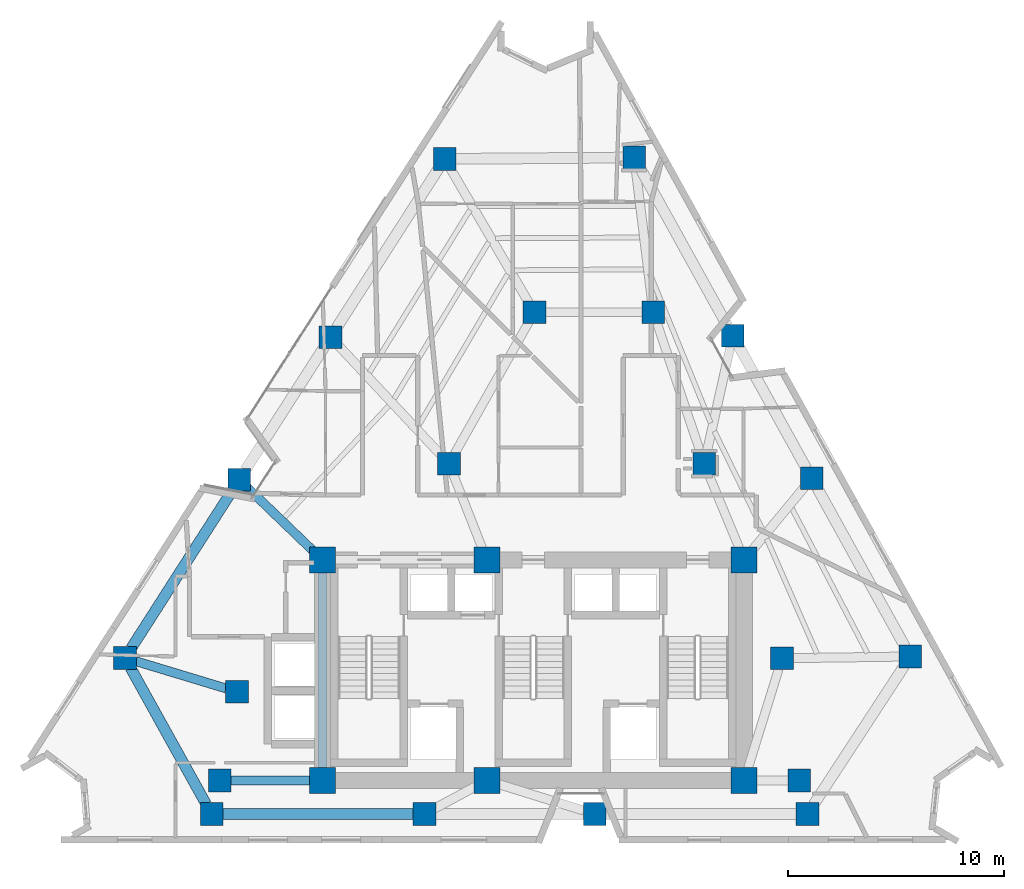
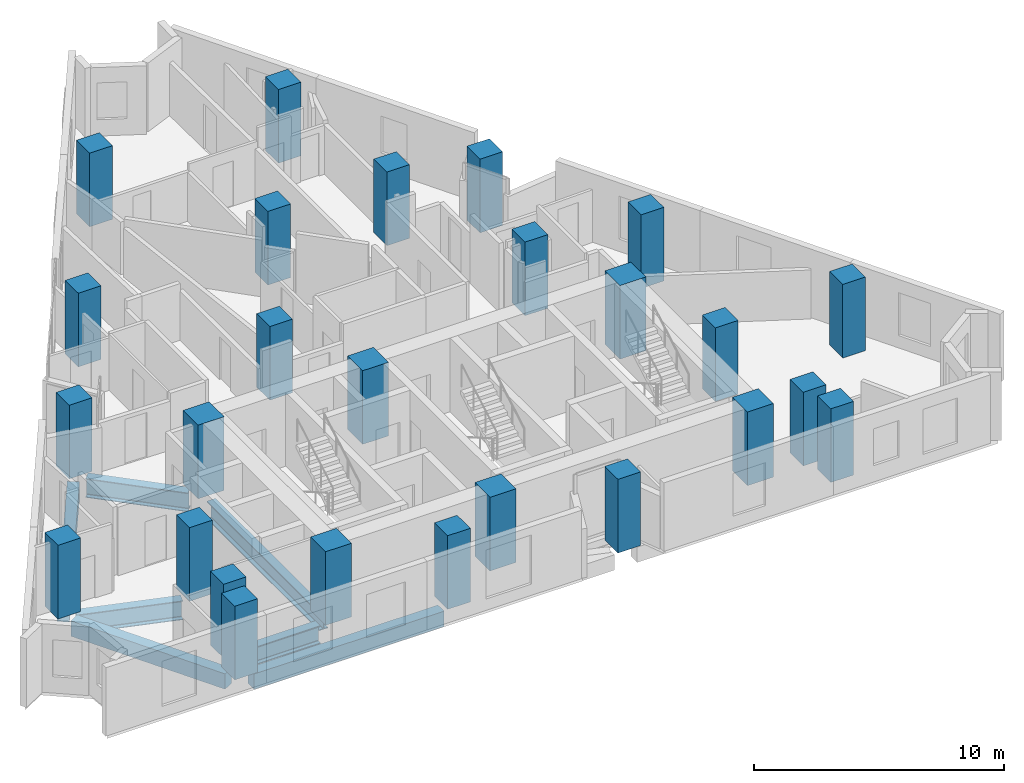
# One storey, part 1 of 11: 26 columns, 7 beams.
"""IFC4 building model written with IfcOpenShell, lengths in metres."""

from ifc_helpers import new_model, si_unit, direction, frame, origin, origin_2d, place, context, subcontext, project, spatial, rectangle, i_section, extrude, material, material_profile, profile_set, type_object, element, save


model = new_model("IFC4")

# Units and contexts
model_context = context("Model", 3, precision=1e-05, world=origin(), true_north=direction((0.0, 1.0)))
body_context = subcontext(model_context, "Body", "Model", "MODEL_VIEW")
ifc_project = project(units=[si_unit("LENGTHUNIT", "METRE"), si_unit("AREAUNIT", "SQUARE_METRE"), si_unit("VOLUMEUNIT", "CUBIC_METRE"), si_unit("PLANEANGLEUNIT", "RADIAN"), si_unit("MASSUNIT", "GRAM", prefix="KILO")], contexts=[model_context])

# Site, building, storey
site_placement = place(None, origin())
site = spatial("IfcSite", under=ifc_project, at=site_placement, CompositionType="ELEMENT")
building_placement = place(site_placement, origin())
building = spatial("IfcBuilding", under=site, at=building_placement, Name="Almagre Mirador Tower", CompositionType="ELEMENT")
storey_placement = place(building_placement, frame((0.0, 0.0, 168.0)))
storey = spatial("IfcBuildingStorey", under=building, at=storey_placement, Name="L43", CompositionType="ELEMENT", Elevation=168.0)

# Columns
ifc_material_1 = material(Name="Concrete C60/75", Category="concrete")
ifc_material_profile_1 = material_profile(ifc_material_1, rectangle(XDim=1.050048828125, YDim=1.050048828125, at=origin_2d()), Name="RC1050X1050")
ifc_profile_set_1 = profile_set([ifc_material_profile_1], Name="Concrete C60/75")
column_type_1 = type_object("IfcColumnType", Name="COL-RC1050", PredefinedType="COLUMN", material=ifc_profile_set_1)
for number, where, z_axis, x_axis, name in (
    (1, (22.800048828125, 4.550048828125, 0.0), (0.0, 0.0, 1.0), (1.0, 0.0, 0.0), "L43 interior transfer column MC1"),
    (2, (49.60009765625, 4.550048828125, 0.0), (0.0, 0.0, 1.0), (1.0, 0.0, 0.0), "L43 interior transfer column MC2"),
    (3, (48.800048828125, 10.199951171875, 0.0), (0.0, 0.0, 1.0), (1.0, 0.0, 0.0), "L43 interior transfer column MC3"),
    (4, (45.199951171875, 19.199951171875, 0.0), (0.0, 0.0, 1.0), (1.0, 0.0, 0.0), "L43 interior transfer column MC5"),
    (5, (42.85009765625, 26.199951171875, 0.0), (0.0, 0.0, 1.0), (1.0, 0.0, 0.0), "L43 interior transfer column MC6"),
    (6, (37.35009765625, 26.199951171875, 0.0), (0.0, 0.0, 1.0), (1.0, 0.0, 0.0), "L43 interior transfer column MC7"),
    (7, (33.39990234375, 19.199951171875, 0.0), (0.0, 0.0, 1.0), (1.0, 0.0, 0.0), "L43 interior transfer column MC8"),
    (8, (23.60009765625, 8.64990234375, 0.0), (0.0, 0.0, 1.0), (1.0, 0.0, 0.0), "L43 interior transfer column MC10"),
    (9, (22.424072265625, 3.0, 0.0), (0.0, 0.0, 1.0), (1.0, 0.0, 0.0), "L43 perimeter column PC01"),
    (10, (32.263916015625, 3.0, 0.0), (0.0, 0.0, 1.0), (1.0, 0.0, 0.0), "L43 perimeter column PC02"),
    (11, (40.135986328125, 3.0, 0.0), (0.0, 0.0, 1.0), (1.0, 0.0, 0.0), "L43 perimeter column PC03"),
    (12, (49.97607421875, 3.0, 0.0), (0.0, 0.0, 1.0), (1.0, 0.0, 0.0), "L43 perimeter column PC04"),
    (13, (54.73388671875, 10.282958984375, 0.0), (0.0, 0.0, 1.0), (1.0, 0.0, 0.0), "L43 perimeter column PC05"),
    (14, (50.174072265625, 18.52294921875, 0.0), (0.0, 0.0, 1.0), (1.0, 0.0, 0.0), "L43 perimeter column PC06"),
    (15, (46.52587890625, 25.114990234375, 0.0), (0.0, 0.0, 1.0), (1.0, 0.0, 0.0), "L43 perimeter column PC07"),
    (16, (41.966064453125, 33.35498046875, 0.0), (0.0, 0.0, 1.0), (1.0, 0.0, 0.0), "L43 perimeter column PC08"),
    (17, (33.201904296875, 33.2890625, 0.0), (0.0, 0.0, 1.0), (1.0, 0.0, 0.0), "L43 perimeter column PC09"),
    (18, (27.922119140625, 25.049072265625, 0.0), (0.0, 0.0, 1.0), (1.0, 0.0, 0.0), "L43 perimeter column PC10"),
    (19, (23.697998046875, 18.45703125, 0.0), (0.0, 0.0, 1.0), (1.0, 0.0, 0.0), "L43 perimeter column PC11"),
    (20, (18.41796875, 10.217041015625, 0.0), (0.0, 0.0, 1.0), (1.0, 0.0, 0.0), "L43 perimeter column PC12"),
):
    element("IfcColumn", number, at=place(storey_placement, frame(where, z_axis=z_axis, x_axis=x_axis)), inside=storey, type_object=column_type_1, Name=name, PredefinedType="COLUMN", context=body_context, shape_type="SweptSolid", body=[
        extrude(rectangle(XDim=1.050048828125, YDim=1.050048828125, at=origin_2d()), origin(), (0.0, 0.0, 1.0), 3.60009765625),
    ])
ifc_material_2 = material(Name="Concrete C60/75", Category="concrete")
ifc_material_profile_2 = material_profile(ifc_material_2, rectangle(XDim=1.199951171875, YDim=1.199951171875, at=origin_2d()), Name="RC1200X1200")
ifc_profile_set_2 = profile_set([ifc_material_profile_2], Name="Concrete C60/75")
column_type_2 = type_object("IfcColumnType", Name="COL-RC1200", PredefinedType="COLUMN", material=ifc_profile_set_2)
for number, where, z_axis, x_axis, name in (
    (21, (27.550048828125, 4.550048828125, 0.0), (0.0, 0.0, 1.0), (1.0, 0.0, 0.0), "L43 core spine column CC1"),
    (22, (35.14990234375, 4.550048828125, 0.0), (0.0, 0.0, 1.0), (1.0, 0.0, 0.0), "L43 core spine column CC2"),
    (23, (47.050048828125, 4.550048828125, 0.0), (0.0, 0.0, 1.0), (1.0, 0.0, 0.0), "L43 core spine column CC3"),
    (24, (27.550048828125, 14.75, 0.0), (0.0, 0.0, 1.0), (1.0, 0.0, 0.0), "L43 core spine column CC4"),
    (25, (35.14990234375, 14.75, 0.0), (0.0, 0.0, 1.0), (1.0, 0.0, 0.0), "L43 core spine column CC5"),
    (26, (47.050048828125, 14.75, 0.0), (0.0, 0.0, 1.0), (1.0, 0.0, 0.0), "L43 core spine column CC6"),
):
    element("IfcColumn", number, at=place(storey_placement, frame(where, z_axis=z_axis, x_axis=x_axis)), inside=storey, type_object=column_type_2, Name=name, PredefinedType="COLUMN", context=body_context, shape_type="SweptSolid", body=[
        extrude(rectangle(XDim=1.199951171875, YDim=1.199951171875, at=origin_2d()), origin(), (0.0, 0.0, 1.0), 3.60009765625),
    ])

# Beams
ifc_material_3 = material(Name="Precast concrete C50/60", Category="concrete")
ifc_material_profile_3 = material_profile(ifc_material_3, rectangle(XDim=0.5, YDim=0.75, at=origin_2d()), Name="RC500X750")
ifc_profile_set_3 = profile_set([ifc_material_profile_3], Name="Precast concrete C50/60")
beam_type_1 = type_object("IfcBeamType", Name="BM-SPN-RC500X750", PredefinedType="SPANDREL", material=ifc_profile_set_3)
beam_1_placement = place(storey_placement, frame((22.948974609375, 3.0, -0.625), z_axis=(1.0, 0.0, 0.0), x_axis=(0.0, 1.0, 0.0)))
element("IfcBeam", 27, at=beam_1_placement, inside=storey, type_object=beam_type_1, Name="L43 perimeter spandrel beam PC01-PC02", PredefinedType="SPANDREL", context=body_context, shape_type="SweptSolid", body=[
    extrude(rectangle(XDim=0.5, YDim=0.75, at=origin_2d()), origin(), (0.0, 0.0, 1.0), 8.7900390625),
])
beam_2_placement = place(storey_placement, frame((23.414794921875, 18.014892578125, -0.625), z_axis=(-0.539525433851, -0.841969302426, 0.0), x_axis=(0.841969302426, -0.539525433851, 0.0)))
element("IfcBeam", 28, at=beam_2_placement, inside=storey, type_object=beam_type_1, Name="L43 perimeter spandrel beam PC11-PC12", PredefinedType="SPANDREL", context=body_context, shape_type="SweptSolid", body=[
    extrude(rectangle(XDim=0.5, YDim=0.75, at=origin_2d()), origin(), (0.0, 0.0, 1.0), 8.736572265625),
])
beam_3_placement = place(storey_placement, frame((18.6728515625, 9.758056640625, -0.625), z_axis=(0.48530913158, -0.874342636959, 0.0), x_axis=(0.874342636959, 0.48530913158, 0.0)))
element("IfcBeam", 29, at=beam_3_placement, inside=storey, type_object=beam_type_1, Name="L43 perimeter spandrel beam PC12-PC01", PredefinedType="SPANDREL", context=body_context, shape_type="SweptSolid", body=[
    extrude(rectangle(XDim=0.5, YDim=0.75, at=origin_2d()), origin(), (0.0, 0.0, 1.0), 7.204345703125),
])
ifc_material_4 = material(Name="Steel ASTM A992 Grade 50", Category="steel")
ifc_material_profile_4 = material_profile(ifc_material_4, i_section(OverallWidth=0.404052734375, OverallDepth=0.884033203125, WebThickness=0.0244140625, FlangeThickness=0.0439453125, FilletRadius=0.02490234375, at=origin_2d()), Name="W33X291")
ifc_profile_set_4 = profile_set([ifc_material_profile_4], Name="Steel ASTM A992 Grade 50")
beam_type_2 = type_object("IfcBeamType", Name="BM-STL-W33X291", PredefinedType="BEAM", material=ifc_profile_set_4)
beam_4_placement = place(storey_placement, frame((27.550048828125, 5.14990234375, -0.69189453125), z_axis=(0.0, 1.0, 0.0), x_axis=(-1.0, 0.0, 0.0)))
element("IfcBeam", 30, at=beam_4_placement, inside=storey, type_object=beam_type_2, Name="L43 core tie girder CC1-CC4", PredefinedType="BEAM", context=body_context, shape_type="SweptSolid", body=[
    extrude(i_section(OverallWidth=0.404052734375, OverallDepth=0.884033203125, WebThickness=0.0244140625, FlangeThickness=0.0439453125, FilletRadius=0.02490234375, at=origin_2d()), origin(), (0.0, 0.0, 1.0), 9.0),
])
beam_5_placement = place(storey_placement, frame((23.324951171875, 4.550048828125, -0.69189453125), z_axis=(1.0, 0.0, 0.0), x_axis=(0.0, 1.0, 0.0)))
element("IfcBeam", 31, at=beam_5_placement, inside=storey, type_object=beam_type_2, Name="L43 core tie girder MC1-CC1", PredefinedType="BEAM", context=body_context, shape_type="SweptSolid", body=[
    extrude(i_section(OverallWidth=0.404052734375, OverallDepth=0.884033203125, WebThickness=0.0244140625, FlangeThickness=0.0439453125, FilletRadius=0.02490234375, at=origin_2d()), origin(), (0.0, 0.0, 1.0), 3.625),
])
ifc_material_5 = material(Name="Steel ASTM A992 Grade 50", Category="steel")
ifc_material_profile_5 = material_profile(ifc_material_5, i_section(OverallWidth=0.41796875, OverallDepth=0.927001953125, WebThickness=0.019287109375, FlangeThickness=0.031982421875, FilletRadius=0.028076171875, at=origin_2d()), Name="W36X231")
ifc_profile_set_5 = profile_set([ifc_material_profile_5], Name="Steel ASTM A992 Grade 50")
beam_type_3 = type_object("IfcBeamType", Name="BM-STL-W36X231", PredefinedType="BEAM", material=ifc_profile_set_5)
beam_6_placement = place(storey_placement, frame((24.076416015625, 18.093017578125, -0.71337890625), z_axis=(0.720511778148, -0.693442699544, 0.0), x_axis=(0.693442699544, 0.720511778148, 0.0)))
element("IfcBeam", 32, at=beam_6_placement, inside=storey, type_object=beam_type_3, Name="L43 radial floor girder PC11-CC4", PredefinedType="BEAM", context=body_context, shape_type="SweptSolid", body=[
    extrude(i_section(OverallWidth=0.41796875, OverallDepth=0.927001953125, WebThickness=0.019287109375, FlangeThickness=0.031982421875, FilletRadius=0.028076171875, at=origin_2d()), origin(), (0.0, 0.0, 1.0), 4.220947265625),
])
beam_7_placement = place(storey_placement, frame((18.92041015625, 10.06494140625, -0.71337890625), z_axis=(0.957203497828, -0.289415728229, 0.0), x_axis=(0.289415728229, 0.957203497828, 0.0)))
element("IfcBeam", 33, at=beam_7_placement, inside=storey, type_object=beam_type_3, Name="L43 radial floor girder PC12-MC10", PredefinedType="BEAM", context=body_context, shape_type="SweptSolid", body=[
    extrude(i_section(OverallWidth=0.41796875, OverallDepth=0.927001953125, WebThickness=0.019287109375, FlangeThickness=0.031982421875, FilletRadius=0.028076171875, at=origin_2d()), origin(), (0.0, 0.0, 1.0), 4.36376953125),
])

save(model, "model.ifc")
